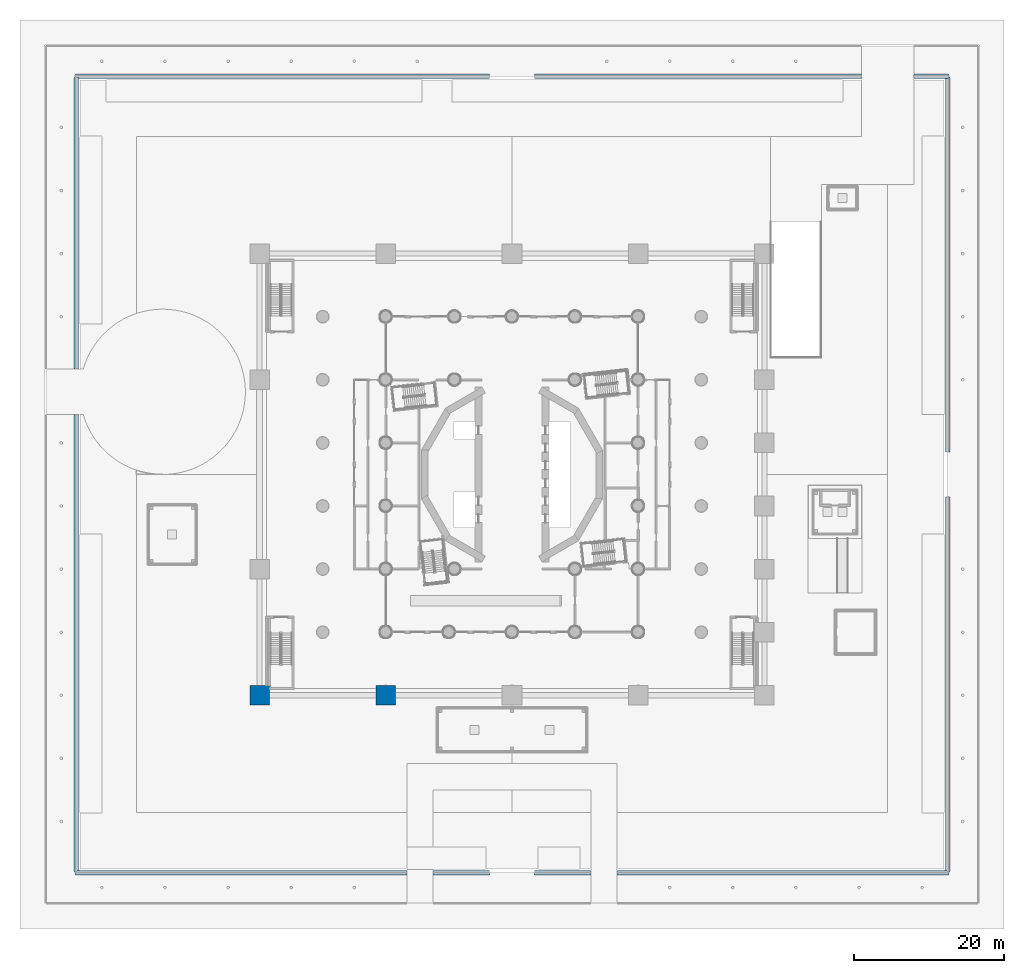
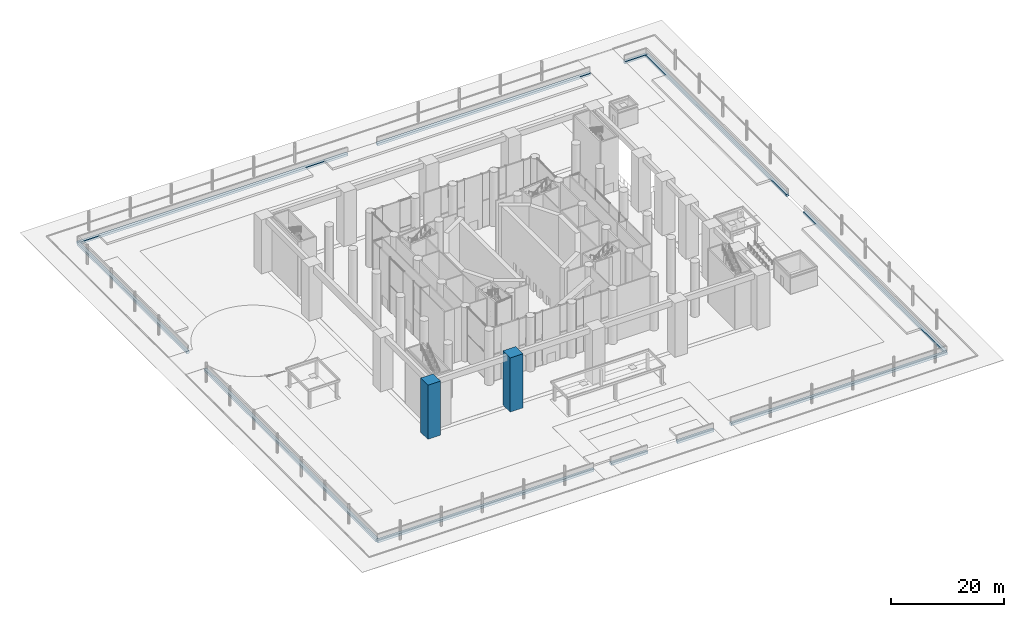
# One storey, part 1 of 52: 11 footings, 2 columns.
"""IFC4 building model written with IfcOpenShell, lengths in metres."""

from ifc_helpers import new_model, si_unit, direction, frame, origin, origin_2d, place, context, subcontext, project, spatial, polyline, rectangle, outline, extrude, material, material_profile, profile_set, type_object, element, save


model = new_model("IFC4")

# Units and contexts
model_context = context("Model", 3, precision=1e-05, world=origin(), true_north=direction((0.0, 1.0)))
body_context = subcontext(model_context, "Body", "Model", "MODEL_VIEW")
ifc_project = project(units=[si_unit("LENGTHUNIT", "METRE"), si_unit("AREAUNIT", "SQUARE_METRE"), si_unit("VOLUMEUNIT", "CUBIC_METRE"), si_unit("PLANEANGLEUNIT", "RADIAN"), si_unit("MASSUNIT", "GRAM", prefix="KILO")], contexts=[model_context])

# Site, building, storey
site_placement = place(None, origin())
site = spatial("IfcSite", under=ifc_project, at=site_placement, CompositionType="ELEMENT")
building_placement = place(site_placement, origin())
building = spatial("IfcBuilding", under=site, at=building_placement, Name="Cantera Rosa Tower", CompositionType="ELEMENT")
storey_placement = place(building_placement, origin())
storey = spatial("IfcBuildingStorey", under=building, at=storey_placement, Name="L00", CompositionType="ELEMENT", Elevation=0.0)

# Footings
ifc_material_1 = material(Name="Concrete C40/50", Category="concrete")
footing_type = type_object("IfcFootingType", Name="Boundary wall footing 600x500", PredefinedType="STRIP_FOOTING", material=ifc_material_1)
footing_1_placement = place(storey_placement, frame((0.0, 0.0, -0.5)))
element("IfcFooting", 1, at=footing_1_placement, inside=storey, type_object=footing_type, Name="Boundary wall footing S0", PredefinedType="STRIP_FOOTING", context=body_context, shape_type="SweptSolid", body=[
    extrude(outline(polyline([(-14.0, -53.300048828125), (-14.0, -52.699951171875), (-58.125, -52.699951171875), (-58.125, -53.300048828125), (-14.0, -53.300048828125)])), origin(), (0.0, 0.0, 1.0), 0.5),
])
footing_2_placement = place(storey_placement, frame((0.0, 0.0, -0.5)))
element("IfcFooting", 2, at=footing_2_placement, inside=storey, type_object=footing_type, Name="Boundary wall footing S1", PredefinedType="STRIP_FOOTING", context=body_context, shape_type="SweptSolid", body=[
    extrude(outline(polyline([(-3.0, -53.300048828125), (-3.0, -52.699951171875), (-10.5, -52.699951171875), (-10.5, -53.300048828125), (-3.0, -53.300048828125)])), origin(), (0.0, 0.0, 1.0), 0.5),
])
footing_3_placement = place(storey_placement, frame((0.0, 0.0, -0.5)))
element("IfcFooting", 3, at=footing_3_placement, inside=storey, type_object=footing_type, Name="Boundary wall footing S2", PredefinedType="STRIP_FOOTING", context=body_context, shape_type="SweptSolid", body=[
    extrude(outline(polyline([(10.5, -53.300048828125), (10.5, -52.699951171875), (3.0, -52.699951171875), (3.0, -53.300048828125), (10.5, -53.300048828125)])), origin(), (0.0, 0.0, 1.0), 0.5),
])
footing_4_placement = place(storey_placement, frame((0.0, 0.0, -0.5)))
element("IfcFooting", 4, at=footing_4_placement, inside=storey, type_object=footing_type, Name="Boundary wall footing S3", PredefinedType="STRIP_FOOTING", context=body_context, shape_type="SweptSolid", body=[
    extrude(outline(polyline([(58.125, -53.300048828125), (58.125, -52.699951171875), (14.0, -52.699951171875), (14.0, -53.300048828125), (58.125, -53.300048828125)])), origin(), (0.0, 0.0, 1.0), 0.5),
])
footing_5_placement = place(storey_placement, frame((0.0, 0.0, -0.5)))
element("IfcFooting", 5, at=footing_5_placement, inside=storey, type_object=footing_type, Name="Boundary wall footing N0", PredefinedType="STRIP_FOOTING", context=body_context, shape_type="SweptSolid", body=[
    extrude(outline(polyline([(-3.0, 52.699951171875), (-3.0, 53.300048828125), (-58.125, 53.300048828125), (-58.125, 52.699951171875), (-3.0, 52.699951171875)])), origin(), (0.0, 0.0, 1.0), 0.5),
])
footing_6_placement = place(storey_placement, frame((0.0, 0.0, -0.5)))
element("IfcFooting", 6, at=footing_6_placement, inside=storey, type_object=footing_type, Name="Boundary wall footing N1", PredefinedType="STRIP_FOOTING", context=body_context, shape_type="SweptSolid", body=[
    extrude(outline(polyline([(46.5, 52.699951171875), (46.5, 53.300048828125), (3.0, 53.300048828125), (3.0, 52.699951171875), (46.5, 52.699951171875)])), origin(), (0.0, 0.0, 1.0), 0.5),
])
footing_7_placement = place(storey_placement, frame((0.0, 0.0, -0.5)))
element("IfcFooting", 7, at=footing_7_placement, inside=storey, type_object=footing_type, Name="Boundary wall footing N2", PredefinedType="STRIP_FOOTING", context=body_context, shape_type="SweptSolid", body=[
    extrude(outline(polyline([(58.125, 52.699951171875), (58.125, 53.300048828125), (53.5, 53.300048828125), (53.5, 52.699951171875), (58.125, 52.699951171875)])), origin(), (0.0, 0.0, 1.0), 0.5),
])
footing_8_placement = place(storey_placement, frame((0.0, 0.0, -0.5)))
element("IfcFooting", 8, at=footing_8_placement, inside=storey, type_object=footing_type, Name="Boundary wall footing W0", PredefinedType="STRIP_FOOTING", context=body_context, shape_type="SweptSolid", body=[
    extrude(outline(polyline([(-57.699951171875, -52.875), (-57.699951171875, 7.949951171875), (-58.300048828125, 7.949951171875), (-58.300048828125, -52.875), (-57.699951171875, -52.875)])), origin(), (0.0, 0.0, 1.0), 0.5),
])
footing_9_placement = place(storey_placement, frame((0.0, 0.0, -0.5)))
element("IfcFooting", 9, at=footing_9_placement, inside=storey, type_object=footing_type, Name="Boundary wall footing W1", PredefinedType="STRIP_FOOTING", context=body_context, shape_type="SweptSolid", body=[
    extrude(outline(polyline([(-57.699951171875, 14.050048828125), (-57.699951171875, 52.875), (-58.300048828125, 52.875), (-58.300048828125, 14.050048828125), (-57.699951171875, 14.050048828125)])), origin(), (0.0, 0.0, 1.0), 0.5),
])
footing_10_placement = place(storey_placement, frame((0.0, 0.0, -0.5)))
element("IfcFooting", 10, at=footing_10_placement, inside=storey, type_object=footing_type, Name="Boundary wall footing E0", PredefinedType="STRIP_FOOTING", context=body_context, shape_type="SweptSolid", body=[
    extrude(outline(polyline([(58.300048828125, -52.875), (58.300048828125, -3.0), (57.699951171875, -3.0), (57.699951171875, -52.875), (58.300048828125, -52.875)])), origin(), (0.0, 0.0, 1.0), 0.5),
])
footing_11_placement = place(storey_placement, frame((0.0, 0.0, -0.5)))
element("IfcFooting", 11, at=footing_11_placement, inside=storey, type_object=footing_type, Name="Boundary wall footing E1", PredefinedType="STRIP_FOOTING", context=body_context, shape_type="SweptSolid", body=[
    extrude(outline(polyline([(58.300048828125, 3.0), (58.300048828125, 52.875), (57.699951171875, 52.875), (57.699951171875, 3.0), (58.300048828125, 3.0)])), origin(), (0.0, 0.0, 1.0), 0.5),
])

# Columns
ifc_material_2 = material(Name="Concrete C60/75", Category="concrete")
ifc_material_profile = material_profile(ifc_material_2, rectangle(XDim=2.60009765625, YDim=2.60009765625, at=origin_2d()), Name="Stone pier 2600x2600")
ifc_profile_set = profile_set([ifc_material_profile], Name="Concrete C60/75")
column_type = type_object("IfcColumnType", Name="Stone pier 2600x2600", PredefinedType="COLUMN", material=ifc_profile_set)
for number, where, z_axis, x_axis, name in (
    (12, (-33.60009765625, -29.39990234375, 0.0), (0.0, 0.0, 1.0), (1.0, 0.0, 0.0), "Column C-P-1A"),
    (13, (-16.800048828125, -29.39990234375, 0.0), (0.0, 0.0, 1.0), (1.0, 0.0, 0.0), "Column C-P-3A"),
):
    element("IfcColumn", number, at=place(storey_placement, frame(where, z_axis=z_axis, x_axis=x_axis)), inside=storey, type_object=column_type, Name=name, PredefinedType="COLUMN", context=body_context, shape_type="SweptSolid", body=[
        extrude(rectangle(XDim=2.60009765625, YDim=2.60009765625, at=origin_2d()), origin(), (0.0, 0.0, 1.0), 11.699951171875),
    ])

save(model, "model.ifc")
